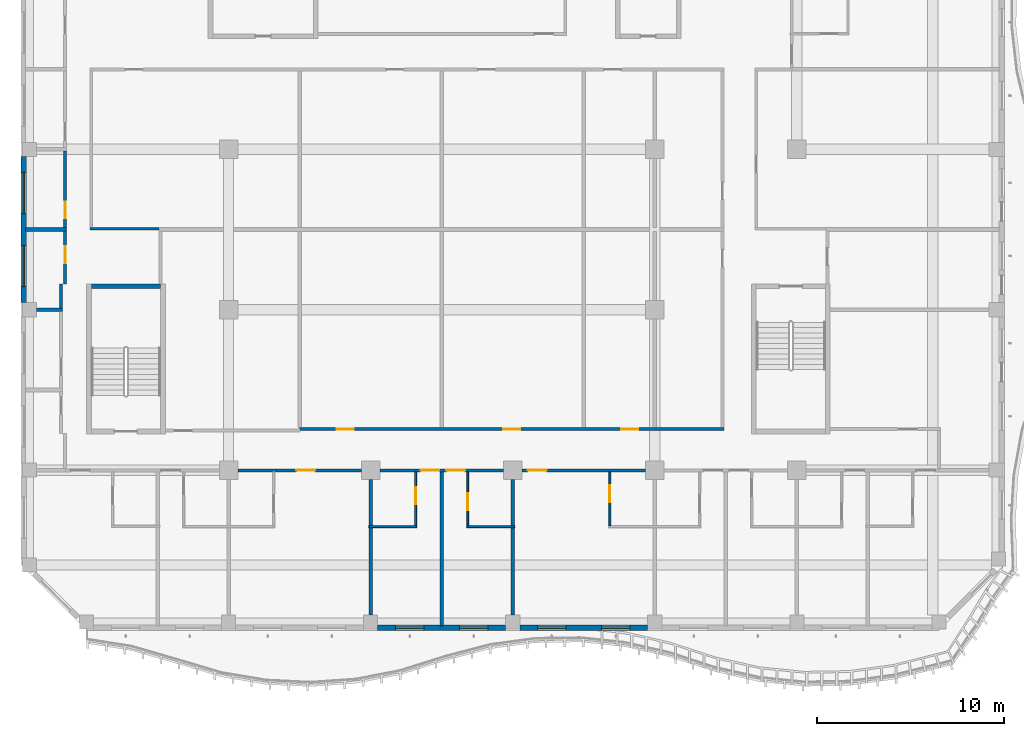
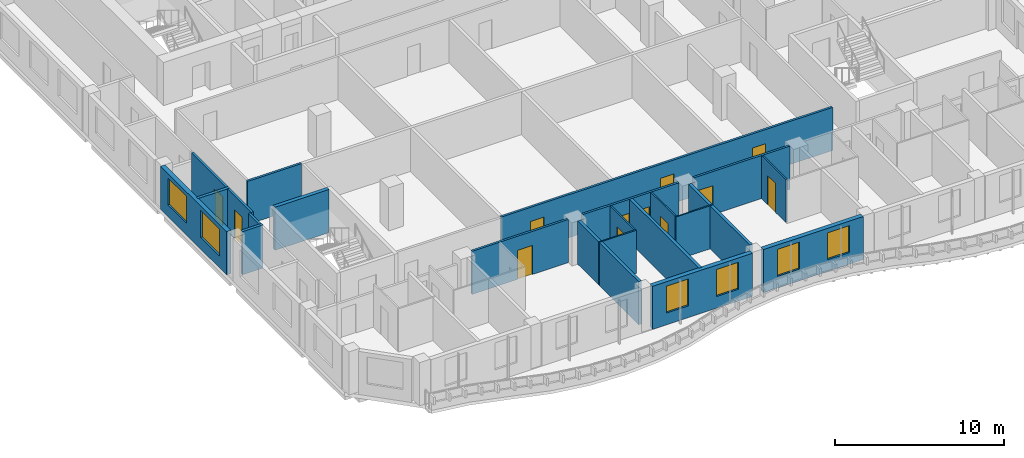
# One storey, part 3 of 21: 24 walls, 12 doors, 6 windows, 18 openings.
"""IFC4 building model written with IfcOpenShell, lengths in metres."""

from ifc_helpers import new_model, si_unit, direction, frame, frame_2d, origin, place, context, subcontext, project, spatial, rectangle, extrude, source, transform, mapped, material, layer, layer_set, type_object, element, fill, save


model = new_model("IFC4")

# Units and contexts
model_context = context("Model", 3, precision=1e-05, world=origin(), true_north=direction((0.0, 1.0)))
body_context = subcontext(model_context, "Body", "Model", "MODEL_VIEW")
ifc_project = project(units=[si_unit("LENGTHUNIT", "METRE"), si_unit("AREAUNIT", "SQUARE_METRE"), si_unit("VOLUMEUNIT", "CUBIC_METRE"), si_unit("PLANEANGLEUNIT", "RADIAN"), si_unit("MASSUNIT", "GRAM", prefix="KILO")], contexts=[model_context])

# Site, building, storey
site_placement = place(None, origin())
site = spatial("IfcSite", under=ifc_project, at=site_placement, CompositionType="ELEMENT")
building_placement = place(site_placement, origin())
building = spatial("IfcBuilding", under=site, at=building_placement, Name="Kilnfold Tower and Market Hall", CompositionType="ELEMENT")
storey_placement = place(building_placement, frame((0.0, 0.0, 210.10009765625)))
storey = spatial("IfcBuildingStorey", under=building, at=storey_placement, Name="L51", CompositionType="ELEMENT", Elevation=210.10009765625)

# Wall, opening, door
ifc_material_1 = material(Name="Gypsum board on steel studs", Category="steel")
ifc_layer_1 = layer(ifc_material_1, 0.14990234375)
ifc_layer_set_1 = layer_set([ifc_layer_1], Name="Gypsum board on steel studs")
wall_type_1 = type_object("IfcWallType", Name="WALL CORRIDOR 150", PredefinedType="PARTITIONING", material=ifc_layer_set_1)
wall_1_placement = place(storey_placement, frame((-9.6669921875, -17.699951171875, 0.0), z_axis=(0.0, 0.0, 1.0), x_axis=(1.0, 0.0, 0.0)))
wall_1 = element("IfcWall", 1, at=wall_1_placement, inside=storey, type_object=wall_type_1, Name="Partition LY31.2", PredefinedType="PARTITIONING", context=body_context, shape_type="SweptSolid", body=[
    extrude(rectangle(XDim=6.583984375, YDim=0.14990234375, at=frame_2d((3.2919921875, 0.0))), origin(), (0.0, 0.0, 1.0), 3.119873046875),
])
opening_1_placement = place(wall_1_placement, frame((3.118896484375, 0.0, 0.0)))
opening_1 = element("IfcOpeningElement", 2, at=opening_1_placement, cuts=wall_1, Name="Opening D1", PredefinedType="OPENING", context=body_context, shape_type="SweptSolid", body=[
    extrude(rectangle(XDim=1.0, YDim=2.10009765625, at=frame_2d((0.5, 1.050048828125))), frame((0.0, 0.0849609375, 0.0), z_axis=(0.0, -1.0, 0.0), x_axis=(1.0, 0.0, 0.0)), (0.0, 0.0, 1.0), 0.169921875),
])
ifc_material_2 = material(Name="Timber veneer door leaf in steel frame", Category="steel")
door_type_1 = type_object("IfcDoorType", Name="DOOR ENTRY 1000 X2100", OperationType="NOTDEFINED", PredefinedType="DOOR", material=ifc_material_2)
door_1_placement = place(opening_1_placement, origin())
door_1 = element("IfcDoor", 3, at=door_1_placement, inside=storey, type_object=door_type_1, Name="Door D1", OperationType="SINGLE_SWING_LEFT", OverallHeight=2.10009765625, OverallWidth=1.0, PredefinedType="DOOR", context=body_context, shape_type="SweptSolid", body=[
    extrude(rectangle(XDim=1.0, YDim=2.10009765625, at=frame_2d((0.5, 1.050048828125))), frame((0.0, 0.02490234375, 0.0), z_axis=(0.0, -1.0, 0.0), x_axis=(1.0, 0.0, 0.0)), (0.0, 0.0, 1.0), 0.050048828125),
])
fill(opening_1, door_1)

# Wall, openings, doors
wall_2_placement = place(storey_placement, frame((-2.0830078125, -17.699951171875, 0.0), z_axis=(0.0, 0.0, 1.0), x_axis=(1.0, 0.0, 0.0)))
wall_2 = element("IfcWall", 4, at=wall_2_placement, inside=storey, type_object=wall_type_1, Name="Partition LY31.3", PredefinedType="PARTITIONING", context=body_context, shape_type="SweptSolid", body=[
    extrude(rectangle(XDim=6.5830078125, YDim=0.14990234375, at=frame_2d((3.29150390625, 0.0))), origin(), (0.0, 0.0, 1.0), 3.119873046875),
])
opening_2_placement = place(wall_2_placement, frame((2.1708984375, 0.0, 0.0)))
opening_2 = element("IfcOpeningElement", 5, at=opening_2_placement, cuts=wall_2, Name="Opening D1", PredefinedType="OPENING", context=body_context, shape_type="SweptSolid", body=[
    extrude(rectangle(XDim=1.0, YDim=2.10009765625, at=frame_2d((0.5, 1.050048828125))), frame((0.0, 0.0849609375, 0.0), z_axis=(0.0, -1.0, 0.0), x_axis=(1.0, 0.0, 0.0)), (0.0, 0.0, 1.0), 0.169921875),
])
opening_3_placement = place(wall_2_placement, frame((3.54296875, 0.0, 0.0)))
opening_3 = element("IfcOpeningElement", 6, at=opening_3_placement, cuts=wall_2, Name="Opening D1", PredefinedType="OPENING", context=body_context, shape_type="SweptSolid", body=[
    extrude(rectangle(XDim=1.0, YDim=2.10009765625, at=frame_2d((0.5, 1.050048828125))), frame((0.0, 0.0849609375, 0.0), z_axis=(0.0, -1.0, 0.0), x_axis=(1.0, 0.0, 0.0)), (0.0, 0.0, 1.0), 0.169921875),
])
door_2_placement = place(opening_2_placement, origin())
door_2 = element("IfcDoor", 7, at=door_2_placement, inside=storey, type_object=door_type_1, Name="Door D1", OperationType="SINGLE_SWING_RIGHT", OverallHeight=2.10009765625, OverallWidth=1.0, PredefinedType="DOOR", context=body_context, shape_type="SweptSolid", body=[
    extrude(rectangle(XDim=1.0, YDim=2.10009765625, at=frame_2d((0.5, 1.050048828125))), frame((0.0, 0.02490234375, 0.0), z_axis=(0.0, -1.0, 0.0), x_axis=(1.0, 0.0, 0.0)), (0.0, 0.0, 1.0), 0.050048828125),
])
fill(opening_2, door_2)
door_3_placement = place(opening_3_placement, origin())
door_3 = element("IfcDoor", 8, at=door_3_placement, inside=storey, type_object=door_type_1, Name="Door D1", OperationType="SINGLE_SWING_RIGHT", OverallHeight=2.10009765625, OverallWidth=1.0, PredefinedType="DOOR", context=body_context, shape_type="SweptSolid", body=[
    extrude(rectangle(XDim=1.0, YDim=2.10009765625, at=frame_2d((0.5, 1.050048828125))), frame((0.0, 0.02490234375, 0.0), z_axis=(0.0, -1.0, 0.0), x_axis=(1.0, 0.0, 0.0)), (0.0, 0.0, 1.0), 0.050048828125),
])
fill(opening_3, door_3)

# Wall, opening, door
wall_3_placement = place(storey_placement, frame((5.5, -17.699951171875, 0.0), z_axis=(0.0, 0.0, 1.0), x_axis=(1.0, 0.0, 0.0)))
wall_3 = element("IfcWall", 9, at=wall_3_placement, inside=storey, type_object=wall_type_1, Name="Partition LY31.4", PredefinedType="PARTITIONING", context=body_context, shape_type="SweptSolid", body=[
    extrude(rectangle(XDim=6.5830078125, YDim=0.14990234375, at=frame_2d((3.29150390625, 0.0))), origin(), (0.0, 0.0, 1.0), 3.119873046875),
])
opening_4_placement = place(wall_3_placement, frame((0.302978515625, 0.0, 0.0)))
opening_4 = element("IfcOpeningElement", 10, at=opening_4_placement, cuts=wall_3, Name="Opening D1", PredefinedType="OPENING", context=body_context, shape_type="SweptSolid", body=[
    extrude(rectangle(XDim=1.0, YDim=2.10009765625, at=frame_2d((0.5, 1.050048828125))), frame((0.0, 0.0849609375, 0.0), z_axis=(0.0, -1.0, 0.0), x_axis=(1.0, 0.0, 0.0)), (0.0, 0.0, 1.0), 0.169921875),
])
door_4_placement = place(opening_4_placement, origin())
door_4 = element("IfcDoor", 11, at=door_4_placement, inside=storey, type_object=door_type_1, Name="Door D1", OperationType="SINGLE_SWING_RIGHT", OverallHeight=2.10009765625, OverallWidth=1.0, PredefinedType="DOOR", context=body_context, shape_type="SweptSolid", body=[
    extrude(rectangle(XDim=1.0, YDim=2.10009765625, at=frame_2d((0.5, 1.050048828125))), frame((0.0, 0.02490234375, 0.0), z_axis=(0.0, -1.0, 0.0), x_axis=(1.0, 0.0, 0.0)), (0.0, 0.0, 1.0), 0.050048828125),
])
fill(opening_4, door_4)

wall_4_placement = place(storey_placement, frame((-18.89990234375, -7.757080078125, 0.0), z_axis=(0.0, 0.0, 1.0), x_axis=(0.0, 1.0, 0.0)))
wall_4 = element("IfcWall", 12, at=wall_4_placement, inside=storey, type_object=wall_type_1, Name="Partition LY31.12", PredefinedType="PARTITIONING", context=body_context, shape_type="SweptSolid", body=[
    extrude(rectangle(XDim=2.823974609375, YDim=0.14990234375, at=frame_2d((1.412109375, 0.0))), origin(), (0.0, 0.0, 1.0), 3.119873046875),
])
opening_5_placement = place(wall_4_placement, frame((1.114013671875, 0.0, 0.0)))
opening_5 = element("IfcOpeningElement", 13, at=opening_5_placement, cuts=wall_4, Name="Opening D2", PredefinedType="OPENING", context=body_context, shape_type="SweptSolid", body=[
    extrude(rectangle(XDim=0.89990234375, YDim=2.10009765625, at=frame_2d((0.449951171875, 1.050048828125))), frame((0.0, 0.0849609375, 0.0), z_axis=(0.0, -1.0, 0.0), x_axis=(1.0, 0.0, 0.0)), (0.0, 0.0, 1.0), 0.169921875),
])
ifc_material_3 = material(Name="Timber veneer door leaf in steel frame", Category="steel")
door_type_2 = type_object("IfcDoorType", Name="DOOR ROOM 900 X2100", OperationType="NOTDEFINED", PredefinedType="DOOR", material=ifc_material_3)
door_5_placement = place(opening_5_placement, origin())
door_5 = element("IfcDoor", 14, at=door_5_placement, inside=storey, type_object=door_type_2, Name="Door D2", OperationType="SINGLE_SWING_LEFT", OverallHeight=2.10009765625, OverallWidth=0.89990234375, PredefinedType="DOOR", context=body_context, shape_type="SweptSolid", body=[
    extrude(rectangle(XDim=0.89990234375, YDim=2.10009765625, at=frame_2d((0.449951171875, 1.050048828125))), frame((0.0, 0.02490234375, 0.0), z_axis=(0.0, -1.0, 0.0), x_axis=(1.0, 0.0, 0.0)), (0.0, 0.0, 1.0), 0.050048828125),
])
fill(opening_5, door_5)

# Wall
wall_5_placement = place(storey_placement, frame((-19.113037109375, -9.034912109375, 0.0), z_axis=(0.0, 0.0, 1.0), x_axis=(0.0, 1.0, 0.0)))
element("IfcWall", 15, at=wall_5_placement, inside=storey, type_object=wall_type_1, Name="Partition LY31.13", PredefinedType="PARTITIONING", context=body_context, shape_type="SweptSolid", body=[
    extrude(rectangle(XDim=1.27783203125, YDim=0.14990234375, at=frame_2d((0.638916015625, 0.0))), origin(), (0.0, 0.0, 1.0), 3.119873046875),
])

# Wall, opening, door
wall_6_placement = place(storey_placement, frame((-18.89990234375, -4.7529296875, 0.0), z_axis=(0.0, 0.0, 1.0), x_axis=(0.0, 1.0, 0.0)))
wall_6 = element("IfcWall", 16, at=wall_6_placement, inside=storey, type_object=wall_type_1, Name="Partition LY31.14", PredefinedType="PARTITIONING", context=body_context, shape_type="SweptSolid", body=[
    extrude(rectangle(XDim=4.100830078125, YDim=0.14990234375, at=frame_2d((2.05029296875, 0.0))), origin(), (0.0, 0.0, 1.0), 3.119873046875),
])
opening_6_placement = place(wall_6_placement, frame((0.5, 0.0, 0.0)))
opening_6 = element("IfcOpeningElement", 17, at=opening_6_placement, cuts=wall_6, Name="Opening D2", PredefinedType="OPENING", context=body_context, shape_type="SweptSolid", body=[
    extrude(rectangle(XDim=0.89990234375, YDim=2.10009765625, at=frame_2d((0.449951171875, 1.050048828125))), frame((0.0, 0.0849609375, 0.0), z_axis=(0.0, -1.0, 0.0), x_axis=(1.0, 0.0, 0.0)), (0.0, 0.0, 1.0), 0.169921875),
])
door_6_placement = place(opening_6_placement, origin())
door_6 = element("IfcDoor", 18, at=door_6_placement, inside=storey, type_object=door_type_2, Name="Door D2", OperationType="SINGLE_SWING_RIGHT", OverallHeight=2.10009765625, OverallWidth=0.89990234375, PredefinedType="DOOR", context=body_context, shape_type="SweptSolid", body=[
    extrude(rectangle(XDim=0.89990234375, YDim=2.10009765625, at=frame_2d((0.449951171875, 1.050048828125))), frame((0.0, 0.02490234375, 0.0), z_axis=(0.0, -1.0, 0.0), x_axis=(1.0, 0.0, 0.0)), (0.0, 0.0, 1.0), 0.050048828125),
])
fill(opening_6, door_6)

# Wall
wall_7_placement = place(storey_placement, frame((-17.574951171875, -4.800048828125, 0.0), z_axis=(0.0, 0.0, 1.0), x_axis=(1.0, 0.0, 0.0)))
element("IfcWall", 19, at=wall_7_placement, inside=storey, type_object=wall_type_1, Name="Partition LY31.34", PredefinedType="PARTITIONING", context=body_context, shape_type="SweptSolid", body=[
    extrude(rectangle(XDim=3.701904296875, YDim=0.14990234375, at=frame_2d((1.85107421875, 0.0))), origin(), (0.0, 0.0, 1.0), 3.119873046875),
])

# Wall, openings, doors
wall_8_placement = place(storey_placement, frame((-6.385009765625, -15.5, 0.0), z_axis=(0.0, 0.0, 1.0), x_axis=(1.0, 0.0, 0.0)))
wall_8 = element("IfcWall", 20, at=wall_8_placement, inside=storey, type_object=wall_type_1, Name="Partition LY31.40", PredefinedType="PARTITIONING", context=body_context, shape_type="SweptSolid", body=[
    extrude(rectangle(XDim=22.659912109375, YDim=0.14990234375, at=frame_2d((11.330078125, 0.0))), origin(), (0.0, 0.0, 1.0), 3.119873046875),
])
opening_7_placement = place(wall_8_placement, frame((2.0009765625, 0.0, 0.0)))
opening_7 = element("IfcOpeningElement", 21, at=opening_7_placement, cuts=wall_8, Name="Opening D2", PredefinedType="OPENING", context=body_context, shape_type="SweptSolid", body=[
    extrude(rectangle(XDim=0.89990234375, YDim=2.10009765625, at=frame_2d((0.449951171875, 1.050048828125))), frame((0.0, 0.0849609375, 0.0), z_axis=(0.0, -1.0, 0.0), x_axis=(1.0, 0.0, 0.0)), (0.0, 0.0, 1.0), 0.169921875),
])
opening_8_placement = place(wall_8_placement, frame((10.884033203125, 0.0, 0.0)))
opening_8 = element("IfcOpeningElement", 22, at=opening_8_placement, cuts=wall_8, Name="Opening D2", PredefinedType="OPENING", context=body_context, shape_type="SweptSolid", body=[
    extrude(rectangle(XDim=0.89990234375, YDim=2.10009765625, at=frame_2d((0.449951171875, 1.050048828125))), frame((0.0, 0.0849609375, 0.0), z_axis=(0.0, -1.0, 0.0), x_axis=(1.0, 0.0, 0.0)), (0.0, 0.0, 1.0), 0.169921875),
])
opening_9_placement = place(wall_8_placement, frame((17.175048828125, 0.0, 0.0)))
opening_9 = element("IfcOpeningElement", 23, at=opening_9_placement, cuts=wall_8, Name="Opening D2", PredefinedType="OPENING", context=body_context, shape_type="SweptSolid", body=[
    extrude(rectangle(XDim=0.89990234375, YDim=2.10009765625, at=frame_2d((0.449951171875, 1.050048828125))), frame((0.0, 0.0849609375, 0.0), z_axis=(0.0, -1.0, 0.0), x_axis=(1.0, 0.0, 0.0)), (0.0, 0.0, 1.0), 0.169921875),
])
door_7_placement = place(opening_7_placement, origin())
door_7 = element("IfcDoor", 24, at=door_7_placement, inside=storey, type_object=door_type_2, Name="Door D2", OperationType="SINGLE_SWING_RIGHT", OverallHeight=2.10009765625, OverallWidth=0.89990234375, PredefinedType="DOOR", context=body_context, shape_type="SweptSolid", body=[
    extrude(rectangle(XDim=0.89990234375, YDim=2.10009765625, at=frame_2d((0.449951171875, 1.050048828125))), frame((0.0, 0.02490234375, 0.0), z_axis=(0.0, -1.0, 0.0), x_axis=(1.0, 0.0, 0.0)), (0.0, 0.0, 1.0), 0.050048828125),
])
fill(opening_7, door_7)
door_8_placement = place(opening_8_placement, origin())
door_8 = element("IfcDoor", 25, at=door_8_placement, inside=storey, type_object=door_type_2, Name="Door D2", OperationType="SINGLE_SWING_LEFT", OverallHeight=2.10009765625, OverallWidth=0.89990234375, PredefinedType="DOOR", context=body_context, shape_type="SweptSolid", body=[
    extrude(rectangle(XDim=0.89990234375, YDim=2.10009765625, at=frame_2d((0.449951171875, 1.050048828125))), frame((0.0, 0.02490234375, 0.0), z_axis=(0.0, -1.0, 0.0), x_axis=(1.0, 0.0, 0.0)), (0.0, 0.0, 1.0), 0.050048828125),
])
fill(opening_8, door_8)
door_9_placement = place(opening_9_placement, origin())
door_9 = element("IfcDoor", 26, at=door_9_placement, inside=storey, type_object=door_type_2, Name="Door D2", OperationType="SINGLE_SWING_RIGHT", OverallHeight=2.10009765625, OverallWidth=0.89990234375, PredefinedType="DOOR", context=body_context, shape_type="SweptSolid", body=[
    extrude(rectangle(XDim=0.89990234375, YDim=2.10009765625, at=frame_2d((0.449951171875, 1.050048828125))), frame((0.0, 0.02490234375, 0.0), z_axis=(0.0, -1.0, 0.0), x_axis=(1.0, 0.0, 0.0)), (0.0, 0.0, 1.0), 0.050048828125),
])
fill(opening_9, door_9)

# Wall, opening, door
ifc_material_4 = material(Name="Gypsum board on steel studs", Category="steel")
ifc_layer_2 = layer(ifc_material_4, 0.10009765625)
ifc_layer_set_2 = layer_set([ifc_layer_2], Name="Gypsum board on steel studs")
wall_type_2 = type_object("IfcWallType", Name="WALL PARTITION 100", PredefinedType="PARTITIONING", material=ifc_layer_set_2)
wall_9_placement = place(storey_placement, frame((-0.18310546875, -17.777099609375, 0.0), z_axis=(0.0, 0.0, 1.0), x_axis=(0.0, -1.0, 0.0)))
wall_9 = element("IfcWall", 27, at=wall_9_placement, inside=storey, type_object=wall_type_2, Name="Partition LY31.54", PredefinedType="PARTITIONING", context=body_context, shape_type="SweptSolid", body=[
    extrude(rectangle(XDim=2.875, YDim=0.10009765625, at=frame_2d((1.4375, 0.0))), origin(), (0.0, 0.0, 1.0), 3.119873046875),
])
opening_10_placement = place(wall_9_placement, frame((0.830078125, 0.0, 0.0)))
opening_10 = element("IfcOpeningElement", 28, at=opening_10_placement, cuts=wall_9, Name="Opening D3", PredefinedType="OPENING", context=body_context, shape_type="SweptSolid", body=[
    extrude(rectangle(XDim=0.89990234375, YDim=2.10009765625, at=frame_2d((0.449951171875, 1.050048828125))), frame((0.0, 0.06005859375, 0.0), z_axis=(0.0, -1.0, 0.0), x_axis=(1.0, 0.0, 0.0)), (0.0, 0.0, 1.0), 0.1201171875),
])
ifc_material_5 = material(Name="Timber veneer door leaf in steel frame", Category="steel")
door_type_3 = type_object("IfcDoorType", Name="DOOR WC 900 X2100", OperationType="NOTDEFINED", PredefinedType="DOOR", material=ifc_material_5)
door_10_placement = place(opening_10_placement, origin())
door_10 = element("IfcDoor", 29, at=door_10_placement, inside=storey, type_object=door_type_3, Name="Door D3", OperationType="SINGLE_SWING_LEFT", OverallHeight=2.10009765625, OverallWidth=0.89990234375, PredefinedType="DOOR", context=body_context, shape_type="SweptSolid", body=[
    extrude(rectangle(XDim=0.89990234375, YDim=2.10009765625, at=frame_2d((0.449951171875, 1.050048828125))), frame((0.0, 0.02490234375, 0.0), z_axis=(0.0, -1.0, 0.0), x_axis=(1.0, 0.0, 0.0)), (0.0, 0.0, 1.0), 0.050048828125),
])
fill(opening_10, door_10)

# Wall
wall_10_placement = place(storey_placement, frame((-2.68310546875, -20.701904296875, 0.0), z_axis=(0.0, 0.0, 1.0), x_axis=(1.0, 0.0, 0.0)))
element("IfcWall", 30, at=wall_10_placement, inside=storey, type_object=wall_type_2, Name="Partition LY31.55", PredefinedType="PARTITIONING", context=body_context, shape_type="SweptSolid", body=[
    extrude(rectangle(XDim=2.550048828125, YDim=0.10009765625, at=frame_2d((1.27490234375, 0.0))), origin(), (0.0, 0.0, 1.0), 3.119873046875),
])

# Wall, opening, door
wall_11_placement = place(storey_placement, frame((2.60009765625, -20.652099609375, 0.0), z_axis=(0.0, 0.0, 1.0), x_axis=(0.0, 1.0, 0.0)))
wall_11 = element("IfcWall", 31, at=wall_11_placement, inside=storey, type_object=wall_type_2, Name="Partition LY31.57", PredefinedType="PARTITIONING", context=body_context, shape_type="SweptSolid", body=[
    extrude(rectangle(XDim=2.875, YDim=0.10009765625, at=frame_2d((1.4375, 0.0))), origin(), (0.0, 0.0, 1.0), 3.119873046875),
])
opening_11_placement = place(wall_11_placement, frame((0.830078125, 0.0, 0.0)))
opening_11 = element("IfcOpeningElement", 32, at=opening_11_placement, cuts=wall_11, Name="Opening D3", PredefinedType="OPENING", context=body_context, shape_type="SweptSolid", body=[
    extrude(rectangle(XDim=0.89990234375, YDim=2.10009765625, at=frame_2d((0.449951171875, 1.050048828125))), frame((0.0, 0.06005859375, 0.0), z_axis=(0.0, -1.0, 0.0), x_axis=(1.0, 0.0, 0.0)), (0.0, 0.0, 1.0), 0.1201171875),
])
door_11_placement = place(opening_11_placement, origin())
door_11 = element("IfcDoor", 33, at=door_11_placement, inside=storey, type_object=door_type_3, Name="Door D3", OperationType="SINGLE_SWING_LEFT", OverallHeight=2.10009765625, OverallWidth=0.89990234375, PredefinedType="DOOR", context=body_context, shape_type="SweptSolid", body=[
    extrude(rectangle(XDim=0.89990234375, YDim=2.10009765625, at=frame_2d((0.449951171875, 1.050048828125))), frame((0.0, 0.02490234375, 0.0), z_axis=(0.0, -1.0, 0.0), x_axis=(1.0, 0.0, 0.0)), (0.0, 0.0, 1.0), 0.050048828125),
])
fill(opening_11, door_11)

# Wall
wall_12_placement = place(storey_placement, frame((2.550048828125, -20.701904296875, 0.0), z_axis=(0.0, 0.0, 1.0), x_axis=(1.0, 0.0, 0.0)))
element("IfcWall", 34, at=wall_12_placement, inside=storey, type_object=wall_type_2, Name="Partition LY31.58", PredefinedType="PARTITIONING", context=body_context, shape_type="SweptSolid", body=[
    extrude(rectangle(XDim=2.550048828125, YDim=0.10009765625, at=frame_2d((1.27490234375, 0.0))), origin(), (0.0, 0.0, 1.0), 3.119873046875),
])

# Wall, opening, door
wall_13_placement = place(storey_placement, frame((10.18310546875, -20.652099609375, 0.0), z_axis=(0.0, 0.0, 1.0), x_axis=(0.0, 1.0, 0.0)))
wall_13 = element("IfcWall", 35, at=wall_13_placement, inside=storey, type_object=wall_type_2, Name="Partition LY31.61", PredefinedType="PARTITIONING", context=body_context, shape_type="SweptSolid", body=[
    extrude(rectangle(XDim=2.875, YDim=0.10009765625, at=frame_2d((1.4375, 0.0))), origin(), (0.0, 0.0, 1.0), 3.119873046875),
])
opening_12_placement = place(wall_13_placement, frame((1.25, 0.0, 0.0)))
opening_12 = element("IfcOpeningElement", 36, at=opening_12_placement, cuts=wall_13, Name="Opening D3", PredefinedType="OPENING", context=body_context, shape_type="SweptSolid", body=[
    extrude(rectangle(XDim=0.89990234375, YDim=2.10009765625, at=frame_2d((0.449951171875, 1.050048828125))), frame((0.0, 0.06005859375, 0.0), z_axis=(0.0, -1.0, 0.0), x_axis=(1.0, 0.0, 0.0)), (0.0, 0.0, 1.0), 0.1201171875),
])
door_12_placement = place(opening_12_placement, origin())
door_12 = element("IfcDoor", 37, at=door_12_placement, inside=storey, type_object=door_type_3, Name="Door D3", OperationType="SINGLE_SWING_LEFT", OverallHeight=2.10009765625, OverallWidth=0.89990234375, PredefinedType="DOOR", context=body_context, shape_type="SweptSolid", body=[
    extrude(rectangle(XDim=0.89990234375, YDim=2.10009765625, at=frame_2d((0.449951171875, 1.050048828125))), frame((0.0, 0.02490234375, 0.0), z_axis=(0.0, -1.0, 0.0), x_axis=(1.0, 0.0, 0.0)), (0.0, 0.0, 1.0), 0.050048828125),
])
fill(opening_12, door_12)

# Walls
ifc_material_6 = material(Name="Gypsum board on steel studs", Category="steel")
ifc_layer_3 = layer(ifc_material_6, 0.199951171875)
ifc_layer_set_3 = layer_set([ifc_layer_3], Name="Gypsum board on steel studs")
wall_type_3 = type_object("IfcWallType", Name="WALL PARTY 200", PredefinedType="PARTITIONING", material=ifc_layer_set_3)
wall_14_placement = place(storey_placement, frame((-2.5830078125, -25.425048828125, 0.0), z_axis=(0.0, 0.0, 1.0), x_axis=(0.0, 1.0, 0.0)))
element("IfcWall", 38, at=wall_14_placement, inside=storey, type_object=wall_type_3, Name="Partition LY31.52", PredefinedType="PARTITIONING", context=body_context, shape_type="SweptSolid", body=[
    extrude(rectangle(XDim=4.68310546875, YDim=0.199951171875, at=frame_2d((2.341552734375, 0.0))), origin(), (0.0, 0.0, 1.0), 3.119873046875),
])
wall_15_placement = place(storey_placement, frame((-2.5830078125, -20.662109375, 0.0), z_axis=(0.0, 0.0, 1.0), x_axis=(0.0, 1.0, 0.0)))
element("IfcWall", 39, at=wall_15_placement, inside=storey, type_object=wall_type_3, Name="Partition LY31.53", PredefinedType="PARTITIONING", context=body_context, shape_type="SweptSolid", body=[
    extrude(rectangle(XDim=2.47412109375, YDim=0.199951171875, at=frame_2d((1.237060546875, 0.0))), origin(), (0.0, 0.0, 1.0), 3.119873046875),
])
wall_16_placement = place(storey_placement, frame((1.2080078125, -26.0, 0.0), z_axis=(0.0, 0.0, 1.0), x_axis=(0.0, 1.0, 0.0)))
element("IfcWall", 40, at=wall_16_placement, inside=storey, type_object=wall_type_3, Name="Partition LY31.56", PredefinedType="PARTITIONING", context=body_context, shape_type="SweptSolid", body=[
    extrude(rectangle(XDim=8.222900390625, YDim=0.199951171875, at=frame_2d((4.111328125, 0.0))), origin(), (0.0, 0.0, 1.0), 3.119873046875),
])
wall_17_placement = place(storey_placement, frame((5.0, -25.425048828125, 0.0), z_axis=(0.0, 0.0, 1.0), x_axis=(0.0, 1.0, 0.0)))
element("IfcWall", 41, at=wall_17_placement, inside=storey, type_object=wall_type_3, Name="Partition LY31.59", PredefinedType="PARTITIONING", context=body_context, shape_type="SweptSolid", body=[
    extrude(rectangle(XDim=4.673095703125, YDim=0.199951171875, at=frame_2d((2.33642578125, 0.0))), origin(), (0.0, 0.0, 1.0), 3.119873046875),
])
wall_18_placement = place(storey_placement, frame((5.0, -20.652099609375, 0.0), z_axis=(0.0, 0.0, 1.0), x_axis=(0.0, 1.0, 0.0)))
element("IfcWall", 42, at=wall_18_placement, inside=storey, type_object=wall_type_3, Name="Partition LY31.60", PredefinedType="PARTITIONING", context=body_context, shape_type="SweptSolid", body=[
    extrude(rectangle(XDim=2.464111328125, YDim=0.199951171875, at=frame_2d((1.23193359375, 0.0))), origin(), (0.0, 0.0, 1.0), 3.119873046875),
])
wall_19_placement = place(storey_placement, frame((-20.425048828125, -9.125, 0.0), z_axis=(0.0, 0.0, 1.0), x_axis=(1.0, 0.0, 0.0)))
element("IfcWall", 43, at=wall_19_placement, inside=storey, type_object=wall_type_3, Name="Partition LY31.80", PredefinedType="PARTITIONING", context=body_context, shape_type="SweptSolid", body=[
    extrude(rectangle(XDim=1.39794921875, YDim=0.199951171875, at=frame_2d((0.698974609375, 0.0))), origin(), (0.0, 0.0, 1.0), 3.119873046875),
])
wall_20_placement = place(storey_placement, frame((-21.0, -4.843017578125, 0.0), z_axis=(0.0, 0.0, 1.0), x_axis=(1.0, 0.0, 0.0)))
element("IfcWall", 44, at=wall_20_placement, inside=storey, type_object=wall_type_3, Name="Partition LY31.81", PredefinedType="PARTITIONING", context=body_context, shape_type="SweptSolid", body=[
    extrude(rectangle(XDim=2.173095703125, YDim=0.199951171875, at=frame_2d((1.08642578125, 0.0))), origin(), (0.0, 0.0, 1.0), 3.119873046875),
])
ifc_material_7 = material(Name="Concrete C60", Category="concrete")
ifc_layer_4 = layer(ifc_material_7, 0.25)
ifc_layer_set_4 = layer_set([ifc_layer_4], Name="Concrete C60")
wall_type_4 = type_object("IfcWallType", Name="CORE WALL 250 C60", PredefinedType="SHEAR", material=ifc_layer_set_4)
shared_shape_1 = source(origin(), body_context, "Body", "SweptSolid", [
    extrude(rectangle(XDim=3.699951171875, YDim=0.25, at=frame_2d((1.85009765625, 0.0))), origin(), (0.0, 0.0, 1.0), 3.119873046875),
])
wall_21_placement = place(storey_placement, frame((-17.5, -7.875, 0.0), z_axis=(0.0, 0.0, 1.0), x_axis=(1.0, 0.0, 0.0)))
element("IfcWall", 45, at=wall_21_placement, inside=storey, type_object=wall_type_4, Name="Stair enclosure ST3", PredefinedType="SHEAR", context=body_context, shape_type="MappedRepresentation", body=[
    mapped(shared_shape_1, transform((0.0, 0.0, 0.0))),
])

# Wall, openings, windows
ifc_material_8 = material(Name="Precast concrete C50/60", Category="concrete")
ifc_layer_5 = layer(ifc_material_8, 0.300048828125)
ifc_layer_set_5 = layer_set([ifc_layer_5], Name="Precast concrete C50/60")
wall_type_5 = type_object("IfcWallType", Name="PRECAST WALL 300", PredefinedType="SOLIDWALL", material=ifc_layer_set_5)
shared_shape_2 = source(origin(), body_context, "Body", "SweptSolid", [
    extrude(rectangle(XDim=6.833251953125, YDim=0.300048828125, at=frame_2d((3.41650390625, 0.0))), origin(), (0.0, 0.0, 1.0), 3.119873046875),
])
wall_22_placement = place(storey_placement, frame((-2.208251953125, -26.10009765625, 0.0), z_axis=(0.0, 0.0, 1.0), x_axis=(1.0, 0.0, 0.0)))
wall_22 = element("IfcWall", 46, at=wall_22_placement, inside=storey, type_object=wall_type_5, Name="External wall L51 S", PredefinedType="SOLIDWALL", context=body_context, shape_type="MappedRepresentation", body=[
    mapped(shared_shape_2, transform((0.0, 0.0, 0.0))),
])
opening_13_placement = place(wall_22_placement, frame((0.958251953125, 0.0, 0.85009765625)))
opening_13 = element("IfcOpeningElement", 47, at=opening_13_placement, cuts=wall_22, Name="Opening W4", PredefinedType="OPENING", context=body_context, shape_type="SweptSolid", body=[
    extrude(rectangle(XDim=1.5, YDim=1.949951171875, at=frame_2d((0.75, 0.97509765625))), frame((0.0, 0.16015625, 0.0), z_axis=(0.0, -1.0, 0.0), x_axis=(1.0, 0.0, 0.0)), (0.0, 0.0, 1.0), 0.320068359375),
])
opening_14_placement = place(wall_22_placement, frame((4.375, 0.0, 0.85009765625)))
opening_14 = element("IfcOpeningElement", 48, at=opening_14_placement, cuts=wall_22, Name="Opening W4", PredefinedType="OPENING", context=body_context, shape_type="SweptSolid", body=[
    extrude(rectangle(XDim=1.5, YDim=1.949951171875, at=frame_2d((0.75, 0.97509765625))), frame((0.0, 0.16015625, 0.0), z_axis=(0.0, -1.0, 0.0), x_axis=(1.0, 0.0, 0.0)), (0.0, 0.0, 1.0), 0.320068359375),
])
ifc_material_9 = material(Name="Aluminium frame and double glazing", Category="aluminium")
window_type_1 = type_object("IfcWindowType", Name="WINDOW W4 1500X1950", PartitioningType="SINGLE_PANEL", PredefinedType="WINDOW", material=ifc_material_9)
window_1_placement = place(opening_13_placement, origin())
window_1 = element("IfcWindow", 49, at=window_1_placement, inside=storey, type_object=window_type_1, Name="Window W4 L51 S-1", OverallHeight=1.949951171875, OverallWidth=1.5, PartitioningType="SINGLE_PANEL", PredefinedType="WINDOW", context=body_context, shape_type="SweptSolid", body=[
    extrude(rectangle(XDim=1.5, YDim=1.949951171875, at=frame_2d((0.75, 0.97509765625))), frame((0.0, 0.030029296875, 0.0), z_axis=(0.0, -1.0, 0.0), x_axis=(1.0, 0.0, 0.0)), (0.0, 0.0, 1.0), 0.06005859375),
])
fill(opening_13, window_1)
window_2_placement = place(opening_14_placement, origin())
window_2 = element("IfcWindow", 50, at=window_2_placement, inside=storey, type_object=window_type_1, Name="Window W4 L51 S-2", OverallHeight=1.949951171875, OverallWidth=1.5, PartitioningType="SINGLE_PANEL", PredefinedType="WINDOW", context=body_context, shape_type="SweptSolid", body=[
    extrude(rectangle(XDim=1.5, YDim=1.949951171875, at=frame_2d((0.75, 0.97509765625))), frame((0.0, 0.030029296875, 0.0), z_axis=(0.0, -1.0, 0.0), x_axis=(1.0, 0.0, 0.0)), (0.0, 0.0, 1.0), 0.06005859375),
])
fill(opening_14, window_2)

wall_23_placement = place(storey_placement, frame((5.375, -26.10009765625, 0.0), z_axis=(0.0, 0.0, 1.0), x_axis=(1.0, 0.0, 0.0)))
wall_23 = element("IfcWall", 51, at=wall_23_placement, inside=storey, type_object=wall_type_5, Name="External wall L51 S", PredefinedType="SOLIDWALL", context=body_context, shape_type="MappedRepresentation", body=[
    mapped(shared_shape_2, transform((0.0, 0.0, 0.0))),
])
opening_15_placement = place(wall_23_placement, frame((0.958251953125, 0.0, 0.85009765625)))
opening_15 = element("IfcOpeningElement", 52, at=opening_15_placement, cuts=wall_23, Name="Opening W4", PredefinedType="OPENING", context=body_context, shape_type="SweptSolid", body=[
    extrude(rectangle(XDim=1.5, YDim=1.949951171875, at=frame_2d((0.75, 0.97509765625))), frame((0.0, 0.16015625, 0.0), z_axis=(0.0, -1.0, 0.0), x_axis=(1.0, 0.0, 0.0)), (0.0, 0.0, 1.0), 0.320068359375),
])
opening_16_placement = place(wall_23_placement, frame((4.375, 0.0, 0.85009765625)))
opening_16 = element("IfcOpeningElement", 53, at=opening_16_placement, cuts=wall_23, Name="Opening W4", PredefinedType="OPENING", context=body_context, shape_type="SweptSolid", body=[
    extrude(rectangle(XDim=1.5, YDim=1.949951171875, at=frame_2d((0.75, 0.97509765625))), frame((0.0, 0.16015625, 0.0), z_axis=(0.0, -1.0, 0.0), x_axis=(1.0, 0.0, 0.0)), (0.0, 0.0, 1.0), 0.320068359375),
])
window_3_placement = place(opening_15_placement, origin())
window_3 = element("IfcWindow", 54, at=window_3_placement, inside=storey, type_object=window_type_1, Name="Window W4 L51 S-1", OverallHeight=1.949951171875, OverallWidth=1.5, PartitioningType="SINGLE_PANEL", PredefinedType="WINDOW", context=body_context, shape_type="SweptSolid", body=[
    extrude(rectangle(XDim=1.5, YDim=1.949951171875, at=frame_2d((0.75, 0.97509765625))), frame((0.0, 0.030029296875, 0.0), z_axis=(0.0, -1.0, 0.0), x_axis=(1.0, 0.0, 0.0)), (0.0, 0.0, 1.0), 0.06005859375),
])
fill(opening_15, window_3)
window_4_placement = place(opening_16_placement, origin())
window_4 = element("IfcWindow", 55, at=window_4_placement, inside=storey, type_object=window_type_1, Name="Window W4 L51 S-2", OverallHeight=1.949951171875, OverallWidth=1.5, PartitioningType="SINGLE_PANEL", PredefinedType="WINDOW", context=body_context, shape_type="SweptSolid", body=[
    extrude(rectangle(XDim=1.5, YDim=1.949951171875, at=frame_2d((0.75, 0.97509765625))), frame((0.0, 0.030029296875, 0.0), z_axis=(0.0, -1.0, 0.0), x_axis=(1.0, 0.0, 0.0)), (0.0, 0.0, 1.0), 0.06005859375),
])
fill(opening_16, window_4)

shared_shape_3 = source(origin(), body_context, "Body", "SweptSolid", [
    extrude(rectangle(XDim=7.8125, YDim=0.300048828125, at=frame_2d((3.90625, 0.0))), origin(), (0.0, 0.0, 1.0), 3.119873046875),
])
wall_24_placement = place(storey_placement, frame((-21.10009765625, -0.9375, 0.0), z_axis=(0.0, 0.0, 1.0), x_axis=(0.0, -1.0, 0.0)))
wall_24 = element("IfcWall", 56, at=wall_24_placement, inside=storey, type_object=wall_type_5, Name="External wall L51 W", PredefinedType="SOLIDWALL", context=body_context, shape_type="MappedRepresentation", body=[
    mapped(shared_shape_3, transform((0.0, 0.0, 0.0))),
])
opening_17_placement = place(wall_24_placement, frame((0.853271484375, 0.0, 0.85009765625)))
opening_17 = element("IfcOpeningElement", 57, at=opening_17_placement, cuts=wall_24, Name="Opening W2", PredefinedType="OPENING", context=body_context, shape_type="SweptSolid", body=[
    extrude(rectangle(XDim=2.199951171875, YDim=1.949951171875, at=frame_2d((1.10009765625, 0.97509765625))), frame((0.0, 0.16015625, 0.0), z_axis=(0.0, -1.0, 0.0), x_axis=(1.0, 0.0, 0.0)), (0.0, 0.0, 1.0), 0.320068359375),
])
opening_18_placement = place(wall_24_placement, frame((4.759521484375, 0.0, 0.85009765625)))
opening_18 = element("IfcOpeningElement", 58, at=opening_18_placement, cuts=wall_24, Name="Opening W2", PredefinedType="OPENING", context=body_context, shape_type="SweptSolid", body=[
    extrude(rectangle(XDim=2.199951171875, YDim=1.949951171875, at=frame_2d((1.10009765625, 0.97509765625))), frame((0.0, 0.16015625, 0.0), z_axis=(0.0, -1.0, 0.0), x_axis=(1.0, 0.0, 0.0)), (0.0, 0.0, 1.0), 0.320068359375),
])
ifc_material_10 = material(Name="Aluminium frame and double glazing", Category="aluminium")
window_type_2 = type_object("IfcWindowType", Name="WINDOW W2 2200X1950", PartitioningType="SINGLE_PANEL", PredefinedType="WINDOW", material=ifc_material_10)
window_5_placement = place(opening_17_placement, origin())
window_5 = element("IfcWindow", 59, at=window_5_placement, inside=storey, type_object=window_type_2, Name="Window W2 L51 W-1", OverallHeight=1.949951171875, OverallWidth=2.199951171875, PartitioningType="SINGLE_PANEL", PredefinedType="WINDOW", context=body_context, shape_type="SweptSolid", body=[
    extrude(rectangle(XDim=2.199951171875, YDim=1.949951171875, at=frame_2d((1.10009765625, 0.97509765625))), frame((0.0, 0.030029296875, 0.0), z_axis=(0.0, -1.0, 0.0), x_axis=(1.0, 0.0, 0.0)), (0.0, 0.0, 1.0), 0.06005859375),
])
fill(opening_17, window_5)
window_6_placement = place(opening_18_placement, origin())
window_6 = element("IfcWindow", 60, at=window_6_placement, inside=storey, type_object=window_type_2, Name="Window W2 L51 W-2", OverallHeight=1.949951171875, OverallWidth=2.199951171875, PartitioningType="SINGLE_PANEL", PredefinedType="WINDOW", context=body_context, shape_type="SweptSolid", body=[
    extrude(rectangle(XDim=2.199951171875, YDim=1.949951171875, at=frame_2d((1.10009765625, 0.97509765625))), frame((0.0, 0.030029296875, 0.0), z_axis=(0.0, -1.0, 0.0), x_axis=(1.0, 0.0, 0.0)), (0.0, 0.0, 1.0), 0.06005859375),
])
fill(opening_18, window_6)

save(model, "model.ifc")
